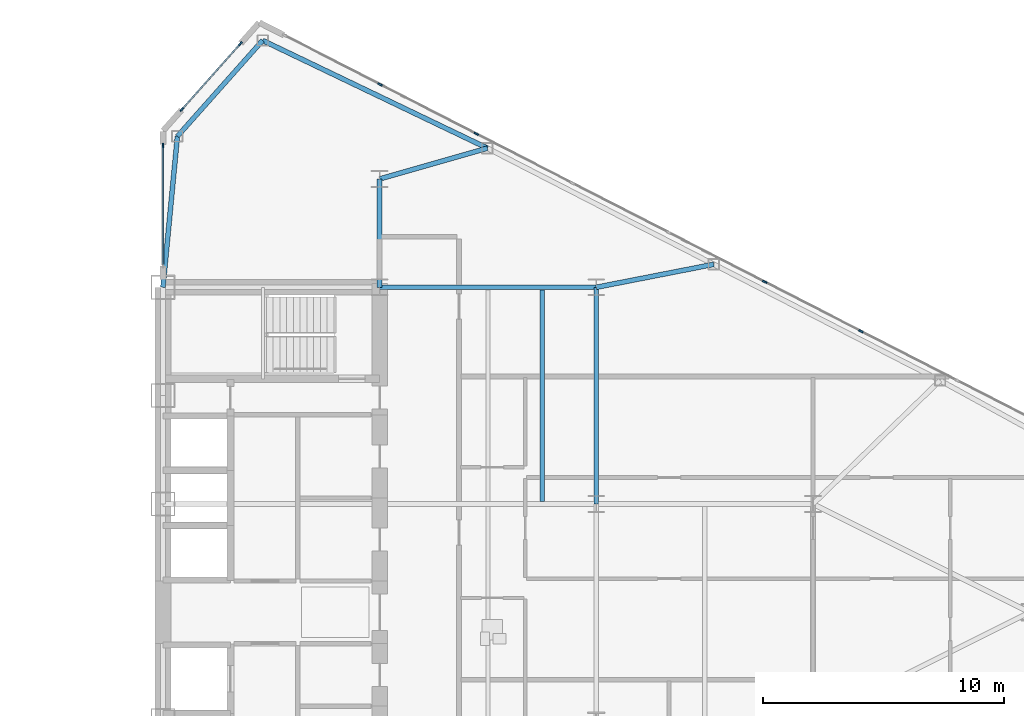
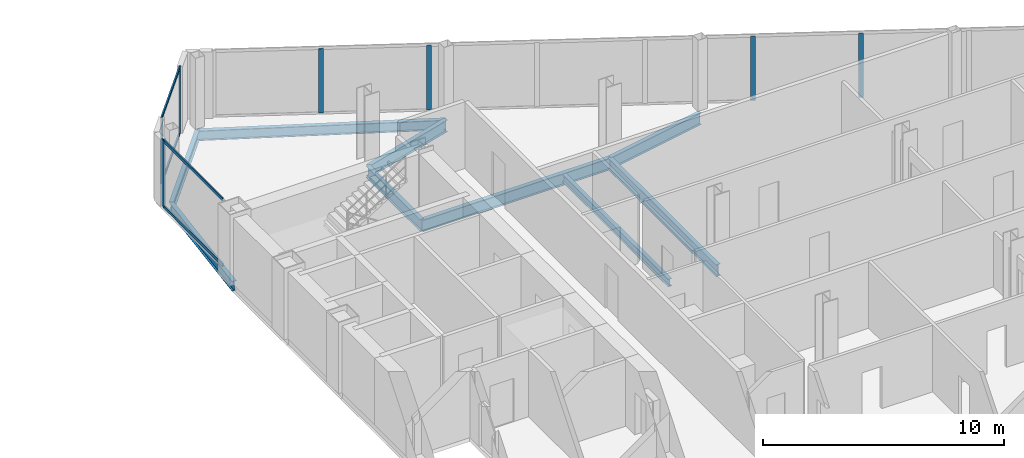
# One storey, part 11 of 24: 11 members, 9 beams, 3 elements without a shape of their own.
"""IFC4 building model written with IfcOpenShell, lengths in metres."""

from ifc_helpers import new_model, si_unit, direction, frame, origin, origin_2d, place, context, subcontext, project, spatial, rectangle, i_section, extrude, source, transform, mapped, material, layer, layer_set, material_profile, profile_set, type_object, type_shapes, element, aggregate, save


model = new_model("IFC4")

# Units and contexts
model_context = context("Model", 3, precision=1e-05, world=origin(), true_north=direction((0.0, 1.0)))
body_context = subcontext(model_context, "Body", "Model", "MODEL_VIEW")
ifc_project = project(units=[si_unit("LENGTHUNIT", "METRE"), si_unit("AREAUNIT", "SQUARE_METRE"), si_unit("VOLUMEUNIT", "CUBIC_METRE"), si_unit("PLANEANGLEUNIT", "RADIAN"), si_unit("MASSUNIT", "GRAM", prefix="KILO")], contexts=[model_context])

# Site, building, storey
site_placement = place(None, origin())
site = spatial("IfcSite", under=ifc_project, at=site_placement, CompositionType="ELEMENT")
building_placement = place(site_placement, origin())
building = spatial("IfcBuilding", under=site, at=building_placement, Name="Seokmaru Belvedere", CompositionType="ELEMENT")
storey_placement = place(building_placement, frame((0.0, 0.0, 117.60009765625)))
storey = spatial("IfcBuildingStorey", under=building, at=storey_placement, Name="L31", CompositionType="ELEMENT", Elevation=117.60009765625)

# Beams
ifc_material_1 = material(Name="Steel SM355 (355 MPa)", Category="steel")
ifc_material_profile_1 = material_profile(ifc_material_1, i_section(OverallWidth=0.199951171875, OverallDepth=0.60009765625, WebThickness=0.010986328125, FlangeThickness=0.01708984375, at=origin_2d()), Name="H-600x200x11x17")
ifc_profile_set_1 = profile_set([ifc_material_profile_1], Name="Steel SM355 (355 MPa)")
beam_type_1 = type_object("IfcBeamType", Name="Primary Floor Girder H-600", PredefinedType="BEAM", material=ifc_profile_set_1)
shared_shape_1 = source(origin(), body_context, "Body", "SweptSolid", [
    extrude(i_section(OverallWidth=0.199951171875, OverallDepth=0.60009765625, WebThickness=0.010986328125, FlangeThickness=0.01708984375, at=origin_2d()), origin(), (0.0, 0.0, 1.0), 9.0),
])
for number, where, z_axis, x_axis, name in (
    (1, (45.5, 4.5, -0.52001953125), (0.0, 1.0, 0.0), (-1.0, 0.0, 0.0), "L31 E Interior Grid Girder 3"),
    (2, (36.5, 13.5, -0.52001953125), (1.0, 0.0, 0.0), (0.0, 1.0, 0.0), "L31 E Wing Primary Girder 4"),
):
    element("IfcBeam", number, at=place(storey_placement, frame(where, z_axis=z_axis, x_axis=x_axis)), inside=storey, type_object=beam_type_1, Name=name, PredefinedType="BEAM", context=body_context, shape_type="MappedRepresentation", body=[
        mapped(shared_shape_1, transform((0.0, 0.0, 0.0), scale=1.0)),
    ])
ifc_material_profile_2 = material_profile(ifc_material_1, i_section(OverallWidth=0.18505859375, OverallDepth=0.389892578125, WebThickness=0.008056640625, FlangeThickness=0.011962890625, at=origin_2d()), Name="H-390x185x8x12")
ifc_profile_set_2 = profile_set([ifc_material_profile_2], Name="Steel SM355 (355 MPa)")
beam_type_2 = type_object("IfcBeamType", Name="Secondary Floor Joist H-350", PredefinedType="JOIST", material=ifc_profile_set_2)
shared_shape_2 = source(origin(), body_context, "Body", "SweptSolid", [
    extrude(i_section(OverallWidth=0.18505859375, OverallDepth=0.389892578125, WebThickness=0.008056640625, FlangeThickness=0.011962890625, at=origin_2d()), origin(), (0.0, 0.0, 1.0), 8.7900390625),
])
type_shapes(beam_type_2, [shared_shape_2])
beam_1_placement = place(storey_placement, frame((43.25, 4.60498046875, -0.4150390625), z_axis=(0.0, 1.0, 0.0), x_axis=(-1.0, 0.0, 0.0)))
element("IfcBeam", 3, at=beam_1_placement, inside=storey, type_object=beam_type_2, Name="L31 E Wing Inner Secondary Joist 2", PredefinedType="JOIST", context=body_context, shape_type="MappedRepresentation", body=[
    mapped(shared_shape_2, transform((0.0, 0.0, 0.0), scale=1.0)),
])
shared_shape_3 = source(origin(), body_context, "Body", "SweptSolid", [
    extrude(i_section(OverallWidth=0.199951171875, OverallDepth=0.60009765625, WebThickness=0.010986328125, FlangeThickness=0.01708984375, at=origin_2d()), origin(), (0.0, 0.0, 1.0), 4.5),
])
beam_2_placement = place(storey_placement, frame((36.5, 13.5, -0.52001953125), z_axis=(0.0, 1.0, 0.0), x_axis=(-1.0, 0.0, 0.0)))
element("IfcBeam", 4, at=beam_2_placement, inside=storey, type_object=beam_type_1, Name="L31 E Core Shoulder Girder N", PredefinedType="BEAM", context=body_context, shape_type="MappedRepresentation", body=[
    mapped(shared_shape_3, transform((0.0, 0.0, 0.0), scale=1.0)),
])
ifc_material_profile_3 = material_profile(ifc_material_1, i_section(OverallWidth=0.199951171875, OverallDepth=0.5, WebThickness=0.010009765625, FlangeThickness=0.01611328125, at=origin_2d()), Name="H-500x200x10x16")
ifc_profile_set_3 = profile_set([ifc_material_profile_3], Name="Steel SM355 (355 MPa)")
beam_type_3 = type_object("IfcBeamType", Name="Perimeter Spandrel Beam H-500", PredefinedType="SPANDREL", material=ifc_profile_set_3)
shared_shape_4 = source(origin(), body_context, "Body", "SweptSolid", [
    extrude(i_section(OverallWidth=0.199951171875, OverallDepth=0.5, WebThickness=0.010009765625, FlangeThickness=0.01611328125, at=origin_2d()), origin(), (0.0, 0.0, 1.0), 10.353759765625),
])
beam_3_placement = place(storey_placement, frame((31.6396484375, 23.75390625, -0.47021484375), z_axis=(0.901713202822, -0.432334708134, 0.0), x_axis=(0.432334708134, 0.901713202822, 0.0)))
element("IfcBeam", 5, at=beam_3_placement, inside=storey, type_object=beam_type_3, Name="L31 E Faceted Flank Spandrel N-1", PredefinedType="SPANDREL", context=body_context, shape_type="MappedRepresentation", body=[
    mapped(shared_shape_4, transform((0.0, 0.0, 0.0), scale=1.0)),
])
shared_shape_5 = source(origin(), body_context, "Body", "SweptSolid", [
    extrude(i_section(OverallWidth=0.199951171875, OverallDepth=0.5, WebThickness=0.010009765625, FlangeThickness=0.01611328125, at=origin_2d()), origin(), (0.0, 0.0, 1.0), 5.32763671875),
])
beam_4_placement = place(storey_placement, frame((31.6396484375, 23.75390625, -0.47021484375), z_axis=(-0.66436952742, -0.74740426212, 0.0), x_axis=(0.74740426212, -0.66436952742, 0.0)))
element("IfcBeam", 6, at=beam_4_placement, inside=storey, type_object=beam_type_3, Name="L31 E Shoulder Chamfer Spandrel N", PredefinedType="SPANDREL", context=body_context, shape_type="MappedRepresentation", body=[
    mapped(shared_shape_5, transform((0.0, 0.0, 0.0), scale=1.0)),
])
shared_shape_6 = source(origin(), body_context, "Body", "SweptSolid", [
    extrude(i_section(OverallWidth=0.199951171875, OverallDepth=0.5, WebThickness=0.010009765625, FlangeThickness=0.01611328125, at=origin_2d()), origin(), (0.0, 0.0, 1.0), 6.300537109375),
])
type_shapes(beam_type_3, [shared_shape_4, shared_shape_5, shared_shape_6])
beam_5_placement = place(storey_placement, frame((28.10009765625, 19.77197265625, -0.47021484375), z_axis=(-0.095244287992, -0.995453929424, 0.0), x_axis=(0.995453929424, -0.095244287992, 0.0)))
element("IfcBeam", 7, at=beam_5_placement, inside=storey, type_object=beam_type_3, Name="L31 E Shoulder Spine Spandrel N", PredefinedType="SPANDREL", context=body_context, shape_type="MappedRepresentation", body=[
    mapped(shared_shape_6, transform((0.0, 0.0, 0.0), scale=1.0)),
])
shared_shape_7 = source(origin(), body_context, "Body", "SweptSolid", [
    extrude(i_section(OverallWidth=0.199951171875, OverallDepth=0.60009765625, WebThickness=0.010986328125, FlangeThickness=0.01708984375, at=origin_2d()), origin(), (0.0, 0.0, 1.0), 4.654541015625),
])
beam_6_placement = place(storey_placement, frame((40.975830078125, 19.277587890625, -0.52001953125), z_axis=(-0.961593192625, -0.274478654721, 0.0), x_axis=(0.274478654721, -0.961593192625, 0.0)))
element("IfcBeam", 8, at=beam_6_placement, inside=storey, type_object=beam_type_1, Name="L31 E Flank Radial Floor Girder N-1", PredefinedType="BEAM", context=body_context, shape_type="MappedRepresentation", body=[
    mapped(shared_shape_7, transform((0.0, 0.0, 0.0), scale=1.0)),
])
shared_shape_8 = source(origin(), body_context, "Body", "SweptSolid", [
    extrude(i_section(OverallWidth=0.199951171875, OverallDepth=0.60009765625, WebThickness=0.010986328125, FlangeThickness=0.01708984375, at=origin_2d()), origin(), (0.0, 0.0, 1.0), 4.969482421875),
])
type_shapes(beam_type_1, [shared_shape_1, shared_shape_3, shared_shape_7, shared_shape_8])
beam_7_placement = place(storey_placement, frame((50.377197265625, 14.453369140625, -0.52001953125), z_axis=(-0.98142544456, -0.19184393858, 0.0), x_axis=(0.19184393858, -0.98142544456, 0.0)))
element("IfcBeam", 9, at=beam_7_placement, inside=storey, type_object=beam_type_1, Name="L31 E Flank Radial Floor Girder N-2", PredefinedType="BEAM", context=body_context, shape_type="MappedRepresentation", body=[
    mapped(shared_shape_8, transform((0.0, 0.0, 0.0), scale=1.0)),
])

# Curtain wall, members
ifc_material_2 = material(Name="Bronze Triple Insulating Glass", Category="glass")
ifc_layer = layer(ifc_material_2, 0.195068359375)
ifc_layer_set = layer_set([ifc_layer], Name="Bronze Triple Insulating Glass")
curtain_wall_type = type_object("IfcCurtainWallType", Name="Sky-Lobby and Mid-Rise Curtain Wall System CW-4", PredefinedType="NOTDEFINED", material=ifc_layer_set)
curtain_wall_1_placement = place(storey_placement, origin())
curtain_wall_1 = element("IfcCurtainWall", 10, at=curtain_wall_1_placement, inside=storey, type_object=curtain_wall_type, Name="L31 Curtain Wall EF4", PredefinedType="NOTDEFINED")
ifc_material_3 = material(Name="Anodised Bronze Aluminium", Category="aluminium")
ifc_material_profile_4 = material_profile(ifc_material_3, rectangle(XDim=0.070068359375, YDim=0.195068359375, at=origin_2d()), Name="CW-M-70x195")
ifc_profile_set_4 = profile_set([ifc_material_profile_4], Name="Anodised Bronze Aluminium")
member_type_1 = type_object("IfcMemberType", Name="Bronze Unitised Mullion 70x195", PredefinedType="MULLION", material=ifc_profile_set_4)
shared_shape_9 = source(origin(), body_context, "Body", "SweptSolid", [
    extrude(rectangle(XDim=0.070068359375, YDim=0.195068359375, at=origin_2d()), origin(), (0.0, 0.0, 1.0), 3.3798828125),
])
member_1_placement = place(storey_placement, frame((30.712646484375, 23.6142578125, 0.0), z_axis=(0.0, 0.0, 1.0), x_axis=(0.747409774804, -0.664363325694, 0.0)))
member_1 = element("IfcMember", 11, at=member_1_placement, type_object=member_type_1, Name="CW:L31:EF4 Mullion 1", PredefinedType="MULLION", context=body_context, shape_type="MappedRepresentation", body=[
    mapped(shared_shape_9, transform((0.0, 0.0, 0.0), scale=1.0)),
])
member_2_placement = place(storey_placement, frame((28.287353515625, 20.8857421875, 0.0), z_axis=(0.0, 0.0, 1.0), x_axis=(0.747409774804, -0.664363325694, 0.0)))
member_2 = element("IfcMember", 12, at=member_2_placement, type_object=member_type_1, Name="CW:L31:EF4 Mullion 2", PredefinedType="MULLION", context=body_context, shape_type="MappedRepresentation", body=[
    mapped(shared_shape_9, transform((0.0, 0.0, 0.0), scale=1.0)),
])

curtain_wall_2_placement = place(storey_placement, origin())
curtain_wall_2 = element("IfcCurtainWall", 13, at=curtain_wall_2_placement, inside=storey, type_object=curtain_wall_type, Name="L31 Curtain Wall ESP_2", PredefinedType="NOTDEFINED")
member_3_placement = place(storey_placement, frame((27.5, 19.39501953125, 0.0), z_axis=(0.0, 0.0, 1.0), x_axis=(1.0, 0.0, 0.0)))
member_3 = element("IfcMember", 14, at=member_3_placement, type_object=member_type_1, Name="CW:L31:ESP_2 Mullion 1", PredefinedType="MULLION", context=body_context, shape_type="MappedRepresentation", body=[
    mapped(shared_shape_9, transform((0.0, 0.0, 0.0), scale=1.0)),
])
ifc_material_profile_5 = material_profile(ifc_material_3, rectangle(XDim=0.06494140625, YDim=0.14990234375, at=origin_2d()), Name="CW-T-65x150")
ifc_profile_set_5 = profile_set([ifc_material_profile_5], Name="Anodised Bronze Aluminium")
member_type_2 = type_object("IfcMemberType", Name="Bronze Unitised Transom 65x150", PredefinedType="USERDEFINED", material=ifc_profile_set_5)
shared_shape_10 = source(origin(), body_context, "Body", "SweptSolid", [
    extrude(rectangle(XDim=0.06494140625, YDim=0.14990234375, at=origin_2d()), origin(), (0.0, 0.0, 1.0), 4.91015625),
])
member_4_placement = place(storey_placement, frame((27.5, 19.360107421875, 0.032470703125), z_axis=(0.0, -1.0, 0.0), x_axis=(1.0, 0.0, 0.0)))
member_4 = element("IfcMember", 15, at=member_4_placement, type_object=member_type_2, Name="CW:L31:ESP_2 Continuous Transom 1", ObjectType="TRANSOM", PredefinedType="USERDEFINED", context=body_context, shape_type="MappedRepresentation", body=[
    mapped(shared_shape_10, transform((0.0, 0.0, 0.0), scale=1.0)),
])
member_5_placement = place(storey_placement, frame((27.5, 19.360107421875, 3.347412109375), z_axis=(0.0, -1.0, 0.0), x_axis=(1.0, 0.0, 0.0)))
member_5 = element("IfcMember", 16, at=member_5_placement, type_object=member_type_2, Name="CW:L31:ESP_2 Continuous Transom 2", ObjectType="TRANSOM", PredefinedType="USERDEFINED", context=body_context, shape_type="MappedRepresentation", body=[
    mapped(shared_shape_10, transform((0.0, 0.0, 0.0), scale=1.0)),
])
aggregate(curtain_wall_2, [member_3, member_4, member_5])

# Member
shared_shape_11 = source(origin(), body_context, "Body", "SweptSolid", [
    extrude(rectangle(XDim=0.06494140625, YDim=0.14990234375, at=origin_2d()), origin(), (0.0, 0.0, 1.0), 3.580810546875),
])
type_shapes(member_type_2, [shared_shape_10, shared_shape_11])
member_6_placement = place(storey_placement, frame((30.689453125, 23.588134765625, 0.032470703125), z_axis=(-0.66436383883, -0.747409318684, 0.0), x_axis=(0.747409318684, -0.66436383883, 0.0)))
member_6 = element("IfcMember", 17, at=member_6_placement, type_object=member_type_2, Name="CW:L31:EF4 Continuous Transom 1", ObjectType="TRANSOM", PredefinedType="USERDEFINED", context=body_context, shape_type="MappedRepresentation", body=[
    mapped(shared_shape_11, transform((0.0, 0.0, 0.0), scale=1.0)),
])

member_7_placement = place(storey_placement, frame((30.689453125, 23.588134765625, 3.347412109375), z_axis=(-0.66436383883, -0.747409318684, 0.0), x_axis=(0.747409318684, -0.66436383883, 0.0)))
member_7 = element("IfcMember", 18, at=member_7_placement, type_object=member_type_2, Name="CW:L31:EF4 Continuous Transom 2", ObjectType="TRANSOM", PredefinedType="USERDEFINED", context=body_context, shape_type="MappedRepresentation", body=[
    mapped(shared_shape_11, transform((0.0, 0.0, 0.0), scale=1.0)),
])

aggregate(curtain_wall_1, [member_1, member_2, member_6, member_7])

# Curtain wall, members
curtain_wall_3_placement = place(storey_placement, origin())
curtain_wall_3 = element("IfcCurtainWall", 19, at=curtain_wall_3_placement, inside=storey, type_object=curtain_wall_type, Name="L31 Curtain Wall EF3", PredefinedType="NOTDEFINED")
shared_shape_12 = source(origin(), body_context, "Body", "SweptSolid", [
    extrude(rectangle(XDim=0.070068359375, YDim=0.195068359375, at=origin_2d()), origin(), (0.0, 0.0, 1.0), 3.25),
])
type_shapes(member_type_1, [shared_shape_9, shared_shape_12])
member_8_placement = place(storey_placement, frame((56.4921875, 11.675048828125, 0.06494140625), z_axis=(0.0, 0.0, 1.0), x_axis=(-0.456554528263, -0.889695432562, 0.0)))
member_8 = element("IfcMember", 20, at=member_8_placement, type_object=member_type_1, Name="CW:L31:EF3 Mullion 4", PredefinedType="MULLION", context=body_context, shape_type="MappedRepresentation", body=[
    mapped(shared_shape_12, transform((0.0, 0.0, 0.0), scale=1.0)),
])
member_9_placement = place(storey_placement, frame((52.497314453125, 13.72509765625, 0.06494140625), z_axis=(0.0, 0.0, 1.0), x_axis=(-0.456554528263, -0.889695432562, 0.0)))
member_9 = element("IfcMember", 21, at=member_9_placement, type_object=member_type_1, Name="CW:L31:EF3 Mullion 5", PredefinedType="MULLION", context=body_context, shape_type="MappedRepresentation", body=[
    mapped(shared_shape_12, transform((0.0, 0.0, 0.0), scale=1.0)),
])
member_10_placement = place(storey_placement, frame((40.5126953125, 19.875, 0.06494140625), z_axis=(0.0, 0.0, 1.0), x_axis=(-0.456554528263, -0.889695432562, 0.0)))
member_10 = element("IfcMember", 22, at=member_10_placement, type_object=member_type_1, Name="CW:L31:EF3 Mullion 8", PredefinedType="MULLION", context=body_context, shape_type="MappedRepresentation", body=[
    mapped(shared_shape_12, transform((0.0, 0.0, 0.0), scale=1.0)),
])
member_11_placement = place(storey_placement, frame((36.51806640625, 21.925048828125, 0.06494140625), z_axis=(0.0, 0.0, 1.0), x_axis=(-0.456554528263, -0.889695432562, 0.0)))
member_11 = element("IfcMember", 23, at=member_11_placement, type_object=member_type_1, Name="CW:L31:EF3 Mullion 9", PredefinedType="MULLION", context=body_context, shape_type="MappedRepresentation", body=[
    mapped(shared_shape_12, transform((0.0, 0.0, 0.0), scale=1.0)),
])
aggregate(curtain_wall_3, [member_8, member_9, member_10, member_11])

save(model, "model.ifc")
